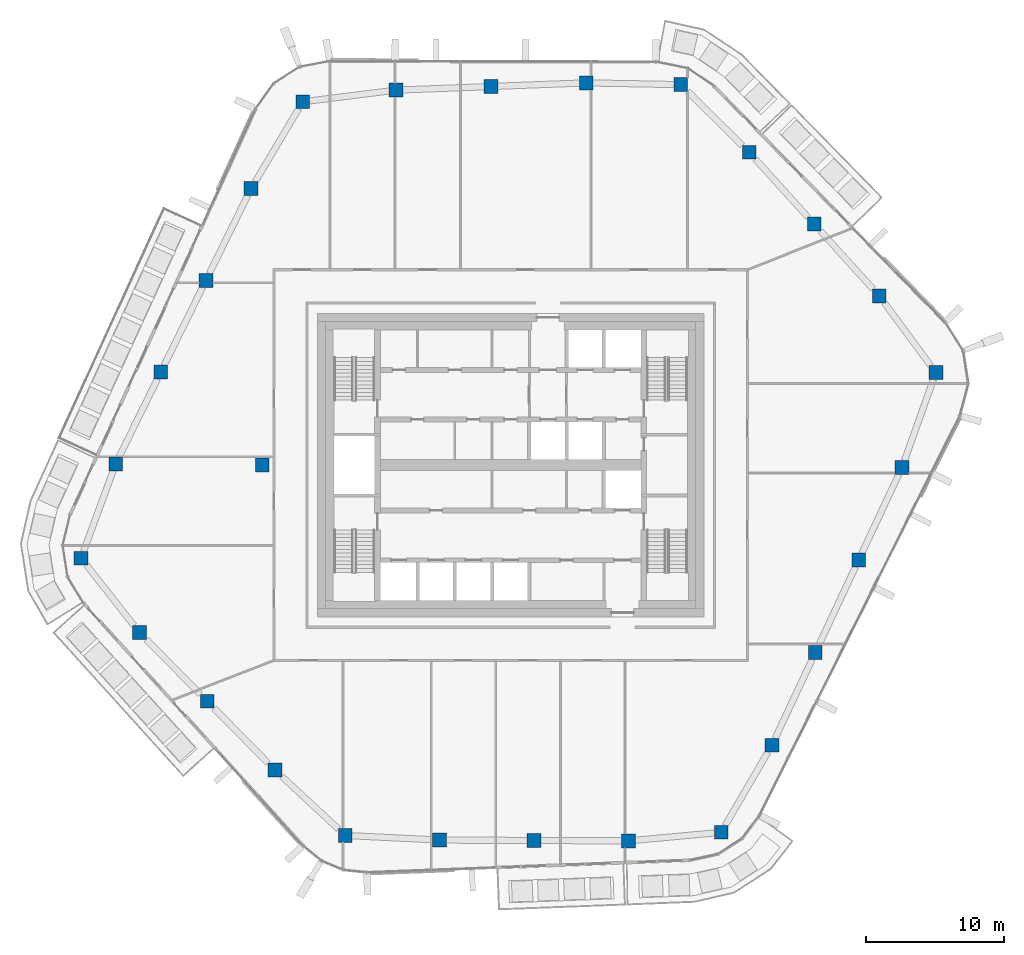
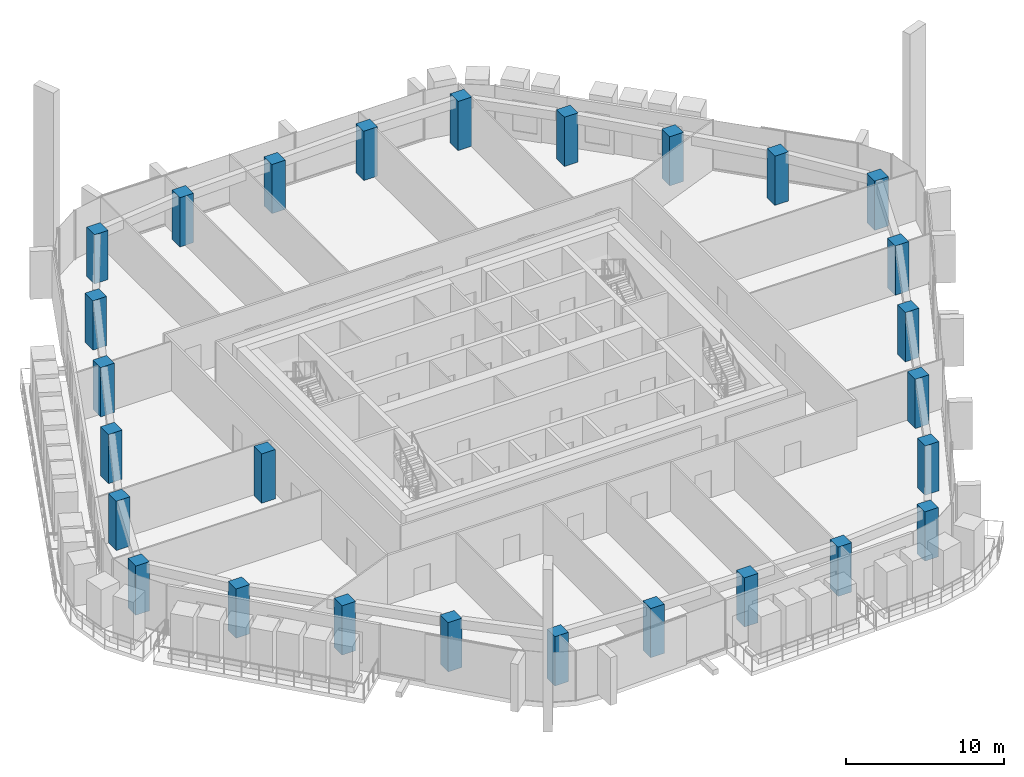
# One storey, part 1 of 24: 27 columns.
"""IFC4 building model written with IfcOpenShell, lengths in metres."""

from ifc_helpers import new_model, si_unit, direction, frame, origin, origin_2d, place, context, subcontext, project, spatial, rectangle, extrude, material, material_profile, profile_set, type_object, element, save


model = new_model("IFC4")

# Units and contexts
model_context = context("Model", 3, precision=1e-05, world=origin(), true_north=direction((0.0, 1.0)))
body_context = subcontext(model_context, "Body", "Model", "MODEL_VIEW")
ifc_project = project(units=[si_unit("LENGTHUNIT", "METRE"), si_unit("AREAUNIT", "SQUARE_METRE"), si_unit("VOLUMEUNIT", "CUBIC_METRE"), si_unit("PLANEANGLEUNIT", "RADIAN"), si_unit("MASSUNIT", "GRAM", prefix="KILO")], contexts=[model_context])

# Site, building, storey
site_placement = place(None, origin())
site = spatial("IfcSite", under=ifc_project, at=site_placement, CompositionType="ELEMENT")
building_placement = place(site_placement, origin())
building = spatial("IfcBuilding", under=site, at=building_placement, Name="Dongbaek Canopy Tower", CompositionType="ELEMENT")
storey_placement = place(building_placement, frame((0.0, 0.0, 306.800048828125)))
storey = spatial("IfcBuildingStorey", under=building, at=storey_placement, Name="L65", CompositionType="ELEMENT", Elevation=306.800048828125)

# Columns
ifc_material = material(Name="Concrete C60", Category="concrete")
ifc_material_profile = material_profile(ifc_material, rectangle(XDim=1.0, YDim=1.0, at=origin_2d()), Name="RC COLUMN 1000x1000 C60")
ifc_profile_set = profile_set([ifc_material_profile], Name="Concrete C60")
column_type = type_object("IfcColumnType", Name="RC COLUMN 1000x1000 C60", PredefinedType="COLUMN", material=ifc_profile_set)
for number, where, z_axis, x_axis, name in (
    (1, (15.251953125, -26.60693359375, 0.0), (0.0, 0.0, 1.0), (1.0, 0.0, 0.0), "COL:CZ5-01:L65"),
    (2, (8.533935546875, -27.22705078125, 0.0), (0.0, 0.0, 1.0), (1.0, 0.0, 0.0), "COL:CZ5-02:L65"),
    (3, (1.68310546875, -27.197021484375, 0.0), (0.0, 0.0, 1.0), (1.0, 0.0, 0.0), "COL:CZ5-03:L65"),
    (4, (-5.166015625, -27.1669921875, 0.0), (0.0, 0.0, 1.0), (1.0, 0.0, 0.0), "COL:CZ5-04:L65"),
    (5, (-11.985107421875, -26.8310546875, 0.0), (0.0, 0.0, 1.0), (1.0, 0.0, 0.0), "COL:CZ5-05:L65"),
    (6, (-17.083984375, -22.089111328125, 0.0), (0.0, 0.0, 1.0), (1.0, 0.0, 0.0), "COL:CZ5-06:L65"),
    (7, (-21.986083984375, -17.112060546875, 0.0), (0.0, 0.0, 1.0), (1.0, 0.0, 0.0), "COL:CZ5-07:L65"),
    (8, (-26.888916015625, -12.134033203125, 0.0), (0.0, 0.0, 1.0), (1.0, 0.0, 0.0), "COL:CZ5-08:L65"),
    (9, (-31.12890625, -6.7451171875, 0.0), (0.0, 0.0, 1.0), (1.0, 0.0, 0.0), "COL:CZ5-09:L65"),
    (10, (-28.616943359375, 0.0859375, 0.0), (0.0, 0.0, 1.0), (1.0, 0.0, 0.0), "COL:CZ5-10:L65"),
    (11, (-25.346923828125, 6.735107421875, 0.0), (0.0, 0.0, 1.0), (1.0, 0.0, 0.0), "COL:CZ5-11:L65"),
    (12, (-22.075927734375, 13.384033203125, 0.0), (0.0, 0.0, 1.0), (1.0, 0.0, 0.0), "COL:CZ5-12:L65"),
    (13, (-18.805908203125, 20.031982421875, 0.0), (0.0, 0.0, 1.0), (1.0, 0.0, 0.0), "COL:CZ5-13:L65"),
    (14, (-15.06201171875, 26.321044921875, 0.0), (0.0, 0.0, 1.0), (1.0, 0.0, 0.0), "COL:CZ5-14:L65"),
    (15, (-8.30908203125, 27.1640625, 0.0), (0.0, 0.0, 1.0), (1.0, 0.0, 0.0), "COL:CZ5-15:L65"),
    (16, (-1.41796875, 27.427978515625, 0.0), (0.0, 0.0, 1.0), (1.0, 0.0, 0.0), "COL:CZ5-16:L65"),
    (17, (5.470947265625, 27.69189453125, 0.0), (0.0, 0.0, 1.0), (1.0, 0.0, 0.0), "COL:CZ5-17:L65"),
    (18, (12.31396484375, 27.56298828125, 0.0), (0.0, 0.0, 1.0), (1.0, 0.0, 0.0), "COL:CZ5-18:L65"),
    (19, (17.27587890625, 22.666015625, 0.0), (0.0, 0.0, 1.0), (1.0, 0.0, 0.0), "COL:CZ5-19:L65"),
    (20, (21.989990234375, 17.4619140625, 0.0), (0.0, 0.0, 1.0), (1.0, 0.0, 0.0), "COL:CZ5-20:L65"),
    (21, (26.702880859375, 12.257080078125, 0.0), (0.0, 0.0, 1.0), (1.0, 0.0, 0.0), "COL:CZ5-21:L65"),
    (22, (30.804931640625, 6.697998046875, 0.0), (0.0, 0.0, 1.0), (1.0, 0.0, 0.0), "COL:CZ5-22:L65"),
    (23, (28.35107421875, -0.169921875, 0.0), (0.0, 0.0, 1.0), (1.0, 0.0, 0.0), "COL:CZ5-23:L65"),
    (24, (25.2099609375, -6.87890625, 0.0), (0.0, 0.0, 1.0), (1.0, 0.0, 0.0), "COL:CZ5-24:L65"),
    (25, (22.068115234375, -13.587890625, 0.0), (0.0, 0.0, 1.0), (1.0, 0.0, 0.0), "COL:CZ5-25:L65"),
    (26, (18.925048828125, -20.2958984375, 0.0), (0.0, 0.0, 1.0), (1.0, 0.0, 0.0), "COL:CZ5-26:L65"),
    (27, (-18.0, 0.0, 0.0), (0.0, 0.0, 1.0), (1.0, 0.0, 0.0), "COL:CIZ5-01:L65"),
):
    element("IfcColumn", number, at=place(storey_placement, frame(where, z_axis=z_axis, x_axis=x_axis)), inside=storey, type_object=column_type, Name=name, PredefinedType="COLUMN", context=body_context, shape_type="SweptSolid", body=[
        extrude(rectangle(XDim=1.0, YDim=1.0, at=origin_2d()), origin(), (0.0, 0.0, 1.0), 3.820068359375),
    ])

save(model, "model.ifc")
